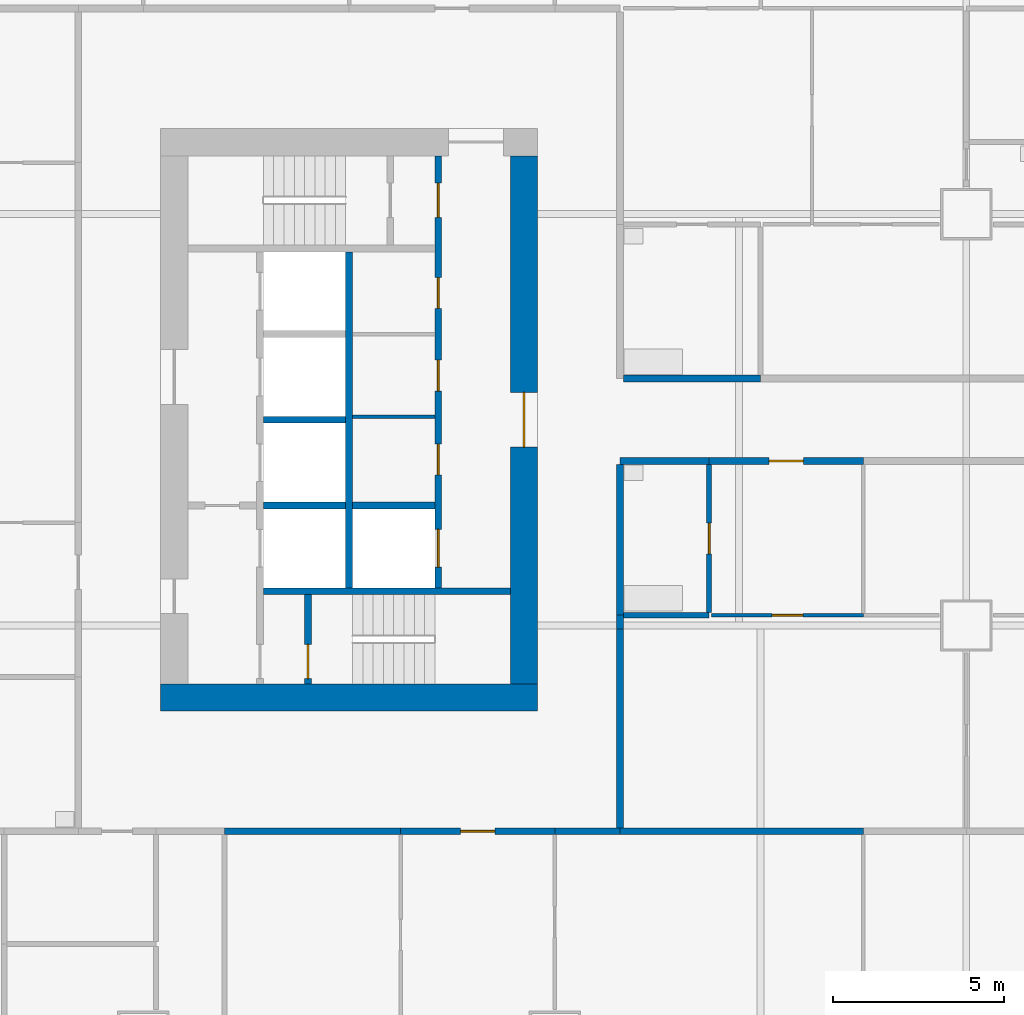
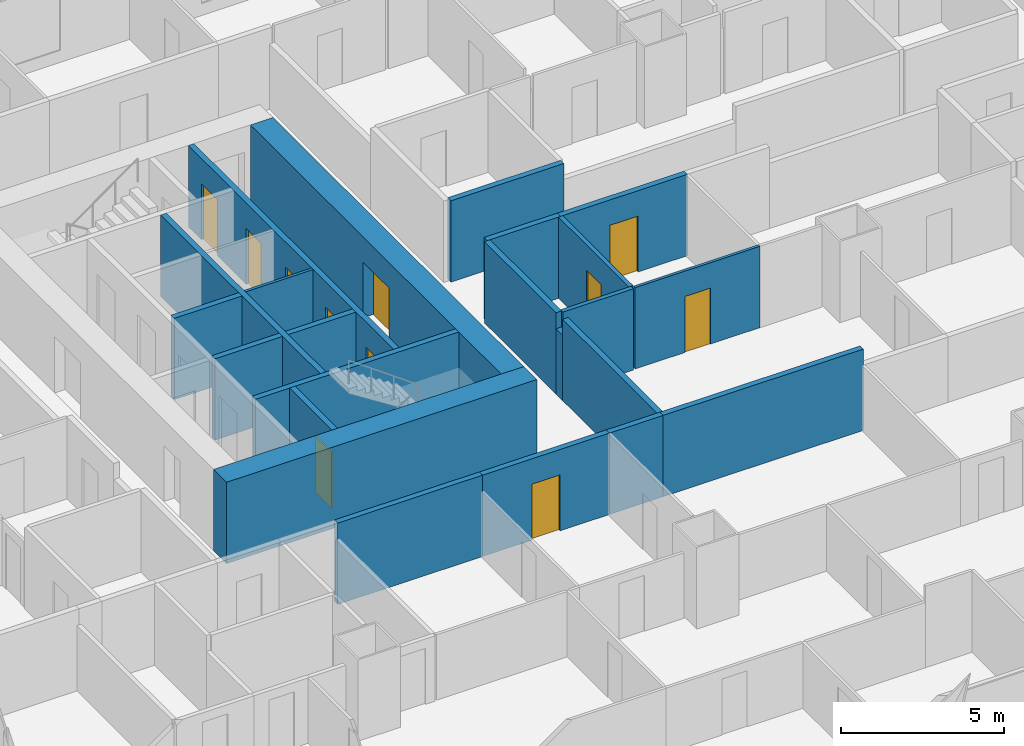
# One storey, part 4 of 13: 23 walls, 11 doors, 11 openings.
"""IFC4 building model written with IfcOpenShell, lengths in metres."""

from ifc_helpers import new_model, si_unit, direction, frame, frame_2d, origin, place, context, subcontext, project, spatial, rectangle, extrude, material, layer, layer_set, type_object, element, fill, save


model = new_model("IFC4")

# Units and contexts
model_context = context("Model", 3, precision=1e-05, world=origin(), true_north=direction((0.0, 1.0)))
body_context = subcontext(model_context, "Body", "Model", "MODEL_VIEW")
ifc_project = project(units=[si_unit("LENGTHUNIT", "METRE"), si_unit("AREAUNIT", "SQUARE_METRE"), si_unit("VOLUMEUNIT", "CUBIC_METRE"), si_unit("PLANEANGLEUNIT", "RADIAN"), si_unit("MASSUNIT", "GRAM", prefix="KILO")], contexts=[model_context])

# Site, building, storey
site_placement = place(None, origin())
site = spatial("IfcSite", under=ifc_project, at=site_placement, CompositionType="ELEMENT")
building_placement = place(site_placement, origin())
building = spatial("IfcBuilding", under=site, at=building_placement, Name="Kitamizu Gate Tower and Museum", CompositionType="ELEMENT")
storey_placement = place(building_placement, frame((0.0, 0.0, 50.699951171875)))
storey = spatial("IfcBuildingStorey", under=building, at=storey_placement, Name="L11", CompositionType="ELEMENT", Elevation=50.699951171875)

# Wall
ifc_material_1 = material(Name="Concrete Fc60", Category="concrete")
ifc_layer_1 = layer(ifc_material_1, 0.800048828125)
ifc_layer_set_1 = layer_set([ifc_layer_1], Name="Concrete Fc60")
wall_type_1 = type_object("IfcWallType", Name="Core wall 800", PredefinedType="SHEAR", material=ifc_layer_set_1)
wall_1_placement = place(storey_placement, frame((12.5, 21.89990234375, 0.0), z_axis=(0.0, 0.0, 1.0), x_axis=(1.0, 0.0, 0.0)))
element("IfcWall", 1, at=wall_1_placement, inside=storey, type_object=wall_type_1, Name="Core wall WS", PredefinedType="SHEAR", context=body_context, shape_type="SweptSolid", body=[
    extrude(rectangle(XDim=11.0, YDim=0.800048828125, at=frame_2d((5.5, 0.0))), origin(), (0.0, 0.0, 1.0), 3.050048828125),
])

# Wall, opening, door
wall_2_placement = place(storey_placement, frame((23.10009765625, 22.300048828125, 0.0), z_axis=(0.0, 0.0, 1.0), x_axis=(0.0, 1.0, 0.0)))
wall_2 = element("IfcWall", 2, at=wall_2_placement, inside=storey, type_object=wall_type_1, Name="Core wall WARC", PredefinedType="SHEAR", context=body_context, shape_type="SweptSolid", body=[
    extrude(rectangle(XDim=15.39990234375, YDim=0.800048828125, at=frame_2d((7.699951171875, 0.0))), origin(), (0.0, 0.0, 1.0), 3.050048828125),
])
opening_1_placement = place(wall_2_placement, frame((6.89990234375, 0.0, 0.0)))
opening_1 = element("IfcOpeningElement", 3, at=opening_1_placement, cuts=wall_2, Name="Opening L11-084", PredefinedType="OPENING", context=body_context, shape_type="SweptSolid", body=[
    extrude(rectangle(XDim=1.60009765625, YDim=2.10009765625, at=frame_2d((0.800048828125, 1.050048828125))), frame((0.0, 0.41015625, 0.0), z_axis=(0.0, -1.0, 0.0), x_axis=(1.0, 0.0, 0.0)), (0.0, 0.0, 1.0), 0.820068359375),
])
ifc_material_2 = material(Name="Timber door set", Category="wood")
door_type_1 = type_object("IfcDoorType", Name="Entrance door 1600", OperationType="DOUBLE_DOOR_SINGLE_SWING", PredefinedType="DOOR", material=ifc_material_2)
door_1_placement = place(opening_1_placement, origin())
door_1 = element("IfcDoor", 4, at=door_1_placement, inside=storey, type_object=door_type_1, Name="Lobby door L11-084", OperationType="DOUBLE_DOOR_SINGLE_SWING", OverallHeight=2.10009765625, OverallWidth=1.60009765625, PredefinedType="DOOR", context=body_context, shape_type="SweptSolid", body=[
    extrude(rectangle(XDim=1.60009765625, YDim=2.10009765625, at=frame_2d((0.800048828125, 1.050048828125))), frame((0.0, 0.02490234375, 0.0), z_axis=(0.0, -1.0, 0.0), x_axis=(1.0, 0.0, 0.0)), (0.0, 0.0, 1.0), 0.050048828125),
])
fill(opening_1, door_1)

# Wall
ifc_material_3 = material(Name="Gypsum board on galvanised stud")
ifc_layer_2 = layer(ifc_material_3, 0.10009765625)
ifc_layer_set_2 = layer_set([ifc_layer_2], Name="Gypsum board on galvanised stud")
wall_type_2 = type_object("IfcWallType", Name="Partition 100", PredefinedType="PARTITIONING", material=ifc_layer_set_2)
wall_3_placement = place(storey_placement, frame((18.10009765625, 30.08203125, 0.0), z_axis=(0.0, 0.0, 1.0), x_axis=(1.0, 0.0, 0.0)))
element("IfcWall", 5, at=wall_3_placement, inside=storey, type_object=wall_type_2, Name="Partition WPF1", PredefinedType="PARTITIONING", context=body_context, shape_type="SweptSolid", body=[
    extrude(rectangle(XDim=2.39990234375, YDim=0.10009765625, at=frame_2d((1.199951171875, 0.0))), origin(), (0.0, 0.0, 1.0), 3.050048828125),
])

# Wall, opening, door
ifc_material_4 = material(Name="Gypsum board on galvanised stud")
ifc_layer_3 = layer(ifc_material_4, 0.10009765625)
ifc_layer_set_3 = layer_set([ifc_layer_3], Name="Gypsum board on galvanised stud")
wall_type_3 = type_object("IfcWallType", Name="Partition 100 NOT RATED", PredefinedType="PARTITIONING", material=ifc_layer_set_3)
wall_4_placement = place(storey_placement, frame((33.0, 24.300048828125, 0.0), z_axis=(0.0, 0.0, 1.0), x_axis=(-1.0, 0.0, 0.0)))
wall_4 = element("IfcWall", 6, at=wall_4_placement, inside=storey, type_object=wall_type_3, Name="Partition L11-061", PredefinedType="PARTITIONING", context=body_context, shape_type="SweptSolid", body=[
    extrude(rectangle(XDim=4.425048828125, YDim=0.10009765625, at=frame_2d((2.21240234375, 0.0))), origin(), (0.0, 0.0, 1.0), 3.050048828125),
])
opening_2_placement = place(wall_4_placement, frame((1.762451171875, 0.0, 0.0)))
opening_2 = element("IfcOpeningElement", 7, at=opening_2_placement, cuts=wall_4, Name="Opening L11-022", PredefinedType="OPENING", context=body_context, shape_type="SweptSolid", body=[
    extrude(rectangle(XDim=0.89990234375, YDim=2.10009765625, at=frame_2d((0.449951171875, 1.050048828125))), frame((0.0, 0.06005859375, 0.0), z_axis=(0.0, -1.0, 0.0), x_axis=(1.0, 0.0, 0.0)), (0.0, 0.0, 1.0), 0.1201171875),
])
ifc_material_5 = material(Name="Timber door set", Category="wood")
door_type_2 = type_object("IfcDoorType", Name="Room door 900", OperationType="NOTDEFINED", PredefinedType="DOOR", material=ifc_material_5)
door_2_placement = place(opening_2_placement, origin())
door_2 = element("IfcDoor", 8, at=door_2_placement, inside=storey, type_object=door_type_2, Name="Door L11-022", OperationType="SINGLE_SWING_LEFT", OverallHeight=2.10009765625, OverallWidth=0.89990234375, PredefinedType="DOOR", context=body_context, shape_type="SweptSolid", body=[
    extrude(rectangle(XDim=0.89990234375, YDim=2.10009765625, at=frame_2d((0.449951171875, 1.050048828125))), frame((0.0, 0.02490234375, 0.0), z_axis=(0.0, -1.0, 0.0), x_axis=(1.0, 0.0, 0.0)), (0.0, 0.0, 1.0), 0.050048828125),
])
fill(opening_2, door_2)

# Wall
ifc_material_6 = material(Name="Gypsum board on galvanised stud")
ifc_layer_4 = layer(ifc_material_6, 0.14990234375)
ifc_layer_set_4 = layer_set([ifc_layer_4], Name="Gypsum board on galvanised stud")
wall_type_4 = type_object("IfcWallType", Name="Partition 150", PredefinedType="PARTITIONING", material=ifc_layer_set_4)
wall_5_placement = place(storey_placement, frame((28.5, 24.300048828125, 0.0), z_axis=(0.0, 0.0, 1.0), x_axis=(-1.0, 0.0, 0.0)))
element("IfcWall", 9, at=wall_5_placement, inside=storey, type_object=wall_type_4, Name="Partition L11-060", PredefinedType="PARTITIONING", context=body_context, shape_type="SweptSolid", body=[
    extrude(rectangle(XDim=2.5, YDim=0.14990234375, at=frame_2d((1.25, 0.0))), origin(), (0.0, 0.0, 1.0), 3.050048828125),
])

# Wall, opening, door
wall_6_placement = place(storey_placement, frame((28.5, 24.375, 0.0), z_axis=(0.0, 0.0, 1.0), x_axis=(0.0, 1.0, 0.0)))
wall_6 = element("IfcWall", 10, at=wall_6_placement, inside=storey, type_object=wall_type_4, Name="Partition L11-067", PredefinedType="PARTITIONING", context=body_context, shape_type="SweptSolid", body=[
    extrude(rectangle(XDim=4.324951171875, YDim=0.14990234375, at=frame_2d((2.16259765625, 0.0))), origin(), (0.0, 0.0, 1.0), 3.050048828125),
])
opening_3_placement = place(wall_6_placement, frame((1.71240234375, 0.0, 0.0)))
opening_3 = element("IfcOpeningElement", 11, at=opening_3_placement, cuts=wall_6, Name="Opening L11-024", PredefinedType="OPENING", context=body_context, shape_type="SweptSolid", body=[
    extrude(rectangle(XDim=0.89990234375, YDim=2.10009765625, at=frame_2d((0.449951171875, 1.050048828125))), frame((0.0, 0.0849609375, 0.0), z_axis=(0.0, -1.0, 0.0), x_axis=(1.0, 0.0, 0.0)), (0.0, 0.0, 1.0), 0.169921875),
])
ifc_material_7 = material(Name="Timber door set", Category="wood")
door_type_3 = type_object("IfcDoorType", Name="Bathroom door 900", OperationType="NOTDEFINED", PredefinedType="DOOR", material=ifc_material_7)
door_3_placement = place(opening_3_placement, origin())
door_3 = element("IfcDoor", 12, at=door_3_placement, inside=storey, type_object=door_type_3, Name="Bathroom door L11-024", OperationType="SINGLE_SWING_LEFT", OverallHeight=2.10009765625, OverallWidth=0.89990234375, PredefinedType="DOOR", context=body_context, shape_type="SweptSolid", body=[
    extrude(rectangle(XDim=0.89990234375, YDim=2.10009765625, at=frame_2d((0.449951171875, 1.050048828125))), frame((0.0, 0.02490234375, 0.0), z_axis=(0.0, -1.0, 0.0), x_axis=(1.0, 0.0, 0.0)), (0.0, 0.0, 1.0), 0.050048828125),
])
fill(opening_3, door_3)

# Wall
ifc_material_8 = material(Name="Gypsum board on galvanised stud")
ifc_layer_5 = layer(ifc_material_8, 0.199951171875)
ifc_layer_set_5 = layer_set([ifc_layer_5], Name="Gypsum board on galvanised stud")
wall_type_5 = type_object("IfcWallType", Name="Partition 200", PredefinedType="PARTITIONING", material=ifc_layer_set_5)
wall_7_placement = place(storey_placement, frame((19.5, 18.0, 0.0), z_axis=(0.0, 0.0, 1.0), x_axis=(-1.0, 0.0, 0.0)))
element("IfcWall", 13, at=wall_7_placement, inside=storey, type_object=wall_type_5, Name="Partition L11-050", PredefinedType="PARTITIONING", context=body_context, shape_type="SweptSolid", body=[
    extrude(rectangle(XDim=5.135986328125, YDim=0.199951171875, at=frame_2d((2.56787109375, 0.0))), origin(), (0.0, 0.0, 1.0), 3.050048828125),
])

# Wall, opening, door
wall_8_placement = place(storey_placement, frame((24.0, 18.0, 0.0), z_axis=(0.0, 0.0, 1.0), x_axis=(-1.0, 0.0, 0.0)))
wall_8 = element("IfcWall", 14, at=wall_8_placement, inside=storey, type_object=wall_type_5, Name="Partition L11-052", PredefinedType="PARTITIONING", context=body_context, shape_type="SweptSolid", body=[
    extrude(rectangle(XDim=4.5, YDim=0.199951171875, at=frame_2d((2.25, 0.0))), origin(), (0.0, 0.0, 1.0), 3.050048828125),
])
opening_4_placement = place(wall_8_placement, frame((1.75, 0.0, 0.0)))
opening_4 = element("IfcOpeningElement", 15, at=opening_4_placement, cuts=wall_8, Name="Opening L11-001", PredefinedType="OPENING", context=body_context, shape_type="SweptSolid", body=[
    extrude(rectangle(XDim=1.0, YDim=2.10009765625, at=frame_2d((0.5, 1.050048828125))), frame((0.0, 0.10986328125, 0.0), z_axis=(0.0, -1.0, 0.0), x_axis=(1.0, 0.0, 0.0)), (0.0, 0.0, 1.0), 0.219970703125),
])
ifc_material_9 = material(Name="Timber door set", Category="wood")
door_type_4 = type_object("IfcDoorType", Name="Flat entrance door 1000", OperationType="NOTDEFINED", PredefinedType="DOOR", material=ifc_material_9)
door_4_placement = place(opening_4_placement, origin())
door_4 = element("IfcDoor", 16, at=door_4_placement, inside=storey, type_object=door_type_4, Name="Flat entrance door L11-001", OperationType="SINGLE_SWING_RIGHT", OverallHeight=2.10009765625, OverallWidth=1.0, PredefinedType="DOOR", context=body_context, shape_type="SweptSolid", body=[
    extrude(rectangle(XDim=1.0, YDim=2.10009765625, at=frame_2d((0.5, 1.050048828125))), frame((0.0, 0.02490234375, 0.0), z_axis=(0.0, -1.0, 0.0), x_axis=(1.0, 0.0, 0.0)), (0.0, 0.0, 1.0), 0.050048828125),
])
fill(opening_4, door_4)

# Walls
wall_9_placement = place(storey_placement, frame((33.0, 18.0, 0.0), z_axis=(0.0, 0.0, 1.0), x_axis=(-1.0, 0.0, 0.0)))
element("IfcWall", 17, at=wall_9_placement, inside=storey, type_object=wall_type_5, Name="Partition L11-054", PredefinedType="PARTITIONING", context=body_context, shape_type="SweptSolid", body=[
    extrude(rectangle(XDim=7.10009765625, YDim=0.199951171875, at=frame_2d((3.550048828125, 0.0))), origin(), (0.0, 0.0, 1.0), 3.050048828125),
])
wall_10_placement = place(storey_placement, frame((25.89990234375, 18.0, 0.0), z_axis=(0.0, 0.0, 1.0), x_axis=(-1.0, 0.0, 0.0)))
element("IfcWall", 18, at=wall_10_placement, inside=storey, type_object=wall_type_5, Name="Partition L11-055", PredefinedType="PARTITIONING", context=body_context, shape_type="SweptSolid", body=[
    extrude(rectangle(XDim=1.89990234375, YDim=0.199951171875, at=frame_2d((0.949951171875, 0.0))), origin(), (0.0, 0.0, 1.0), 3.050048828125),
])
wall_11_placement = place(storey_placement, frame((25.89990234375, 24.300048828125, 0.0), z_axis=(0.0, 0.0, 1.0), x_axis=(0.0, -1.0, 0.0)))
element("IfcWall", 19, at=wall_11_placement, inside=storey, type_object=wall_type_5, Name="Partition L11-063", PredefinedType="PARTITIONING", context=body_context, shape_type="SweptSolid", body=[
    extrude(rectangle(XDim=0.400146484375, YDim=0.199951171875, at=frame_2d((0.2001953125, 0.0))), origin(), (0.0, 0.0, 1.0), 2.449951171875),
])
wall_12_placement = place(storey_placement, frame((25.89990234375, 23.89990234375, 0.0), z_axis=(0.0, 0.0, 1.0), x_axis=(0.0, -1.0, 0.0)))
element("IfcWall", 20, at=wall_12_placement, inside=storey, type_object=wall_type_5, Name="Partition L11-064", PredefinedType="PARTITIONING", context=body_context, shape_type="SweptSolid", body=[
    extrude(rectangle(XDim=5.7998046875, YDim=0.199951171875, at=frame_2d((2.89990234375, 0.0))), origin(), (0.0, 0.0, 1.0), 3.050048828125),
])
wall_13_placement = place(storey_placement, frame((28.5, 28.800048828125, 0.0), z_axis=(0.0, 0.0, 1.0), x_axis=(-1.0, 0.0, 0.0)))
element("IfcWall", 21, at=wall_13_placement, inside=storey, type_object=wall_type_5, Name="Partition L11-068", PredefinedType="PARTITIONING", context=body_context, shape_type="SweptSolid", body=[
    extrude(rectangle(XDim=2.60009765625, YDim=0.199951171875, at=frame_2d((1.300048828125, 0.0))), origin(), (0.0, 0.0, 1.0), 3.050048828125),
])
wall_14_placement = place(storey_placement, frame((25.89990234375, 28.699951171875, 0.0), z_axis=(0.0, 0.0, 1.0), x_axis=(0.0, -1.0, 0.0)))
element("IfcWall", 22, at=wall_14_placement, inside=storey, type_object=wall_type_5, Name="Partition L11-069", PredefinedType="PARTITIONING", context=body_context, shape_type="SweptSolid", body=[
    extrude(rectangle(XDim=4.39990234375, YDim=0.199951171875, at=frame_2d((2.199951171875, 0.0))), origin(), (0.0, 0.0, 1.0), 3.050048828125),
])

# Wall, opening, door
wall_15_placement = place(storey_placement, frame((33.0, 28.800048828125, 0.0), z_axis=(0.0, 0.0, 1.0), x_axis=(-1.0, 0.0, 0.0)))
wall_15 = element("IfcWall", 23, at=wall_15_placement, inside=storey, type_object=wall_type_5, Name="Partition L11-071", PredefinedType="PARTITIONING", context=body_context, shape_type="SweptSolid", body=[
    extrude(rectangle(XDim=4.5, YDim=0.199951171875, at=frame_2d((2.25, 0.0))), origin(), (0.0, 0.0, 1.0), 3.050048828125),
])
opening_5_placement = place(wall_15_placement, frame((1.75, 0.0, 0.0)))
opening_5 = element("IfcOpeningElement", 24, at=opening_5_placement, cuts=wall_15, Name="Opening L11-021", PredefinedType="OPENING", context=body_context, shape_type="SweptSolid", body=[
    extrude(rectangle(XDim=1.0, YDim=2.10009765625, at=frame_2d((0.5, 1.050048828125))), frame((0.0, 0.10986328125, 0.0), z_axis=(0.0, -1.0, 0.0), x_axis=(1.0, 0.0, 0.0)), (0.0, 0.0, 1.0), 0.219970703125),
])
door_5_placement = place(opening_5_placement, origin())
door_5 = element("IfcDoor", 25, at=door_5_placement, inside=storey, type_object=door_type_4, Name="Flat entrance door L11-021", OperationType="SINGLE_SWING_RIGHT", OverallHeight=2.10009765625, OverallWidth=1.0, PredefinedType="DOOR", context=body_context, shape_type="SweptSolid", body=[
    extrude(rectangle(XDim=1.0, YDim=2.10009765625, at=frame_2d((0.5, 1.050048828125))), frame((0.0, 0.02490234375, 0.0), z_axis=(0.0, -1.0, 0.0), x_axis=(1.0, 0.0, 0.0)), (0.0, 0.0, 1.0), 0.050048828125),
])
fill(opening_5, door_5)

# Wall
wall_16_placement = place(storey_placement, frame((26.0, 31.199951171875, 0.0), z_axis=(0.0, 0.0, 1.0), x_axis=(1.0, 0.0, 0.0)))
element("IfcWall", 26, at=wall_16_placement, inside=storey, type_object=wall_type_5, Name="Partition L11-152", PredefinedType="PARTITIONING", context=body_context, shape_type="SweptSolid", body=[
    extrude(rectangle(XDim=4.0, YDim=0.199951171875, at=frame_2d((2.0, 0.0))), origin(), (0.0, 0.0, 1.0), 3.050048828125),
])

# Wall, openings, doors
ifc_material_10 = material(Name="Concrete Fc42", Category="concrete")
ifc_layer_6 = layer(ifc_material_10, 0.199951171875)
ifc_layer_set_6 = layer_set([ifc_layer_6], Name="Concrete Fc42")
wall_type_6 = type_object("IfcWallType", Name="Shaft wall 200", PredefinedType="SOLIDWALL", material=ifc_layer_set_6)
wall_17_placement = place(storey_placement, frame((20.60009765625, 25.10009765625, 0.0), z_axis=(0.0, 0.0, 1.0), x_axis=(0.0, 1.0, 0.0)))
wall_17 = element("IfcWall", 27, at=wall_17_placement, inside=storey, type_object=wall_type_6, Name="Shaft wall WEAST", PredefinedType="SOLIDWALL", context=body_context, shape_type="SweptSolid", body=[
    extrude(rectangle(XDim=12.599853515625, YDim=0.199951171875, at=frame_2d((6.2998046875, 0.0))), origin(), (0.0, 0.0, 1.0), 3.050048828125),
])
opening_6_placement = place(wall_17_placement, frame((0.60009765625, 0.0, 0.0)))
opening_6 = element("IfcOpeningElement", 28, at=opening_6_placement, cuts=wall_17, Name="Opening LD", PredefinedType="OPENING", context=body_context, shape_type="SweptSolid", body=[
    extrude(rectangle(XDim=1.10009765625, YDim=2.10009765625, at=frame_2d((0.550048828125, 1.050048828125))), frame((0.0, 0.10986328125, 0.0), z_axis=(0.0, -1.0, 0.0), x_axis=(1.0, 0.0, 0.0)), (0.0, 0.0, 1.0), 0.219970703125),
])
opening_7_placement = place(wall_17_placement, frame((10.800048828125, 0.0, 0.0)))
opening_7 = element("IfcOpeningElement", 29, at=opening_7_placement, cuts=wall_17, Name="Opening L11-078", PredefinedType="OPENING", context=body_context, shape_type="SweptSolid", body=[
    extrude(rectangle(XDim=1.0, YDim=2.10009765625, at=frame_2d((0.5, 1.050048828125))), frame((0.0, 0.10986328125, 0.0), z_axis=(0.0, -1.0, 0.0), x_axis=(1.0, 0.0, 0.0)), (0.0, 0.0, 1.0), 0.219970703125),
])
opening_8_placement = place(wall_17_placement, frame((3.291015625, 0.0, 0.0)))
opening_8 = element("IfcOpeningElement", 30, at=opening_8_placement, cuts=wall_17, Name="Opening L11-085", PredefinedType="OPENING", context=body_context, shape_type="SweptSolid", body=[
    extrude(rectangle(XDim=0.89990234375, YDim=2.10009765625, at=frame_2d((0.449951171875, 1.050048828125))), frame((0.0, 0.10986328125, 0.0), z_axis=(0.0, -1.0, 0.0), x_axis=(1.0, 0.0, 0.0)), (0.0, 0.0, 1.0), 0.219970703125),
])
opening_9_placement = place(wall_17_placement, frame((5.736572265625, 0.0, 0.0)))
opening_9 = element("IfcOpeningElement", 31, at=opening_9_placement, cuts=wall_17, Name="Opening L11-086", PredefinedType="OPENING", context=body_context, shape_type="SweptSolid", body=[
    extrude(rectangle(XDim=0.89990234375, YDim=2.10009765625, at=frame_2d((0.449951171875, 1.050048828125))), frame((0.0, 0.10986328125, 0.0), z_axis=(0.0, -1.0, 0.0), x_axis=(1.0, 0.0, 0.0)), (0.0, 0.0, 1.0), 0.219970703125),
])
opening_10_placement = place(wall_17_placement, frame((8.1455078125, 0.0, 0.0)))
opening_10 = element("IfcOpeningElement", 32, at=opening_10_placement, cuts=wall_17, Name="Opening L11-087", PredefinedType="OPENING", context=body_context, shape_type="SweptSolid", body=[
    extrude(rectangle(XDim=0.89990234375, YDim=2.10009765625, at=frame_2d((0.449951171875, 1.050048828125))), frame((0.0, 0.10986328125, 0.0), z_axis=(0.0, -1.0, 0.0), x_axis=(1.0, 0.0, 0.0)), (0.0, 0.0, 1.0), 0.219970703125),
])
ifc_material_11 = material(Name="Hollow metal door set")
door_type_5 = type_object("IfcDoorType", Name="Fire door 1000", OperationType="NOTDEFINED", PredefinedType="DOOR", material=ifc_material_11)
door_6_placement = place(opening_7_placement, origin())
door_6 = element("IfcDoor", 33, at=door_6_placement, inside=storey, type_object=door_type_5, Name="Stair lobby door L11-078", OperationType="SINGLE_SWING_RIGHT", OverallHeight=2.10009765625, OverallWidth=1.0, PredefinedType="DOOR", context=body_context, shape_type="SweptSolid", body=[
    extrude(rectangle(XDim=1.0, YDim=2.10009765625, at=frame_2d((0.5, 1.050048828125))), frame((0.0, 0.02490234375, 0.0), z_axis=(0.0, -1.0, 0.0), x_axis=(1.0, 0.0, 0.0)), (0.0, 0.0, 1.0), 0.050048828125),
])
fill(opening_7, door_6)
ifc_material_12 = material(Name="Hollow metal door set")
door_type_6 = type_object("IfcDoorType", Name="Landing door 1100", OperationType="SLIDING_TO_LEFT", PredefinedType="DOOR", material=ifc_material_12)
door_7_placement = place(opening_6_placement, origin())
door_7 = element("IfcDoor", 34, at=door_7_placement, inside=storey, type_object=door_type_6, Name="Landing door WSV1", OperationType="SLIDING_TO_LEFT", OverallHeight=2.10009765625, OverallWidth=1.10009765625, PredefinedType="DOOR", context=body_context, shape_type="SweptSolid", body=[
    extrude(rectangle(XDim=1.10009765625, YDim=2.10009765625, at=frame_2d((0.550048828125, 1.050048828125))), frame((0.0, 0.02490234375, 0.0), z_axis=(0.0, -1.0, 0.0), x_axis=(1.0, 0.0, 0.0)), (0.0, 0.0, 1.0), 0.050048828125),
])
fill(opening_6, door_7)
ifc_material_13 = material(Name="Timber door set", Category="wood")
door_type_7 = type_object("IfcDoorType", Name="Service door 900", OperationType="NOTDEFINED", PredefinedType="DOOR", material=ifc_material_13)
door_8_placement = place(opening_8_placement, origin())
door_8 = element("IfcDoor", 35, at=door_8_placement, inside=storey, type_object=door_type_7, Name="Service door L11-085", OperationType="SINGLE_SWING_RIGHT", OverallHeight=2.10009765625, OverallWidth=0.89990234375, PredefinedType="DOOR", context=body_context, shape_type="SweptSolid", body=[
    extrude(rectangle(XDim=0.89990234375, YDim=2.10009765625, at=frame_2d((0.449951171875, 1.050048828125))), frame((0.0, 0.02490234375, 0.0), z_axis=(0.0, -1.0, 0.0), x_axis=(1.0, 0.0, 0.0)), (0.0, 0.0, 1.0), 0.050048828125),
])
fill(opening_8, door_8)
door_9_placement = place(opening_9_placement, origin())
door_9 = element("IfcDoor", 36, at=door_9_placement, inside=storey, type_object=door_type_7, Name="Service door L11-086", OperationType="SINGLE_SWING_LEFT", OverallHeight=2.10009765625, OverallWidth=0.89990234375, PredefinedType="DOOR", context=body_context, shape_type="SweptSolid", body=[
    extrude(rectangle(XDim=0.89990234375, YDim=2.10009765625, at=frame_2d((0.449951171875, 1.050048828125))), frame((0.0, 0.02490234375, 0.0), z_axis=(0.0, -1.0, 0.0), x_axis=(1.0, 0.0, 0.0)), (0.0, 0.0, 1.0), 0.050048828125),
])
fill(opening_9, door_9)
door_10_placement = place(opening_10_placement, origin())
door_10 = element("IfcDoor", 37, at=door_10_placement, inside=storey, type_object=door_type_7, Name="Service door L11-087", OperationType="SINGLE_SWING_RIGHT", OverallHeight=2.10009765625, OverallWidth=0.89990234375, PredefinedType="DOOR", context=body_context, shape_type="SweptSolid", body=[
    extrude(rectangle(XDim=0.89990234375, YDim=2.10009765625, at=frame_2d((0.449951171875, 1.050048828125))), frame((0.0, 0.02490234375, 0.0), z_axis=(0.0, -1.0, 0.0), x_axis=(1.0, 0.0, 0.0)), (0.0, 0.0, 1.0), 0.050048828125),
])
fill(opening_10, door_10)

# Walls
wall_18_placement = place(storey_placement, frame((18.0, 25.10009765625, 0.0), z_axis=(0.0, 0.0, 1.0), x_axis=(0.0, 1.0, 0.0)))
element("IfcWall", 38, at=wall_18_placement, inside=storey, type_object=wall_type_6, Name="Shaft wall WMID", PredefinedType="SOLIDWALL", context=body_context, shape_type="SweptSolid", body=[
    extrude(rectangle(XDim=9.7998046875, YDim=0.199951171875, at=frame_2d((4.89990234375, 0.0))), origin(), (0.0, 0.0, 1.0), 3.050048828125),
])
wall_19_placement = place(storey_placement, frame((15.5, 25.0, 0.0), z_axis=(0.0, 0.0, 1.0), x_axis=(1.0, 0.0, 0.0)))
element("IfcWall", 39, at=wall_19_placement, inside=storey, type_object=wall_type_6, Name="Shaft wall WSB", PredefinedType="SOLIDWALL", context=body_context, shape_type="SweptSolid", body=[
    extrude(rectangle(XDim=7.199951171875, YDim=0.199951171875, at=frame_2d((3.60009765625, 0.0))), origin(), (0.0, 0.0, 1.0), 3.050048828125),
])

# Wall, opening, door
wall_20_placement = place(storey_placement, frame((16.800048828125, 22.300048828125, 0.0), z_axis=(0.0, 0.0, 1.0), x_axis=(0.0, 1.0, 0.0)))
wall_20 = element("IfcWall", 40, at=wall_20_placement, inside=storey, type_object=wall_type_6, Name="Shaft wall WSZ", PredefinedType="SOLIDWALL", context=body_context, shape_type="SweptSolid", body=[
    extrude(rectangle(XDim=2.599853515625, YDim=0.199951171875, at=frame_2d((1.2998046875, 0.0))), origin(), (0.0, 0.0, 1.0), 3.050048828125),
])
opening_11_placement = place(wall_20_placement, frame((0.14990234375, 0.0, 0.0)))
opening_11 = element("IfcOpeningElement", 41, at=opening_11_placement, cuts=wall_20, Name="Opening L11-076", PredefinedType="OPENING", context=body_context, shape_type="SweptSolid", body=[
    extrude(rectangle(XDim=1.0, YDim=2.10009765625, at=frame_2d((0.5, 1.050048828125))), frame((0.0, 0.10986328125, 0.0), z_axis=(0.0, -1.0, 0.0), x_axis=(1.0, 0.0, 0.0)), (0.0, 0.0, 1.0), 0.219970703125),
])
door_11_placement = place(opening_11_placement, frame((1.0, 0.0, 0.0), x_axis=(-1.0, 0.0, 0.0)))
door_11 = element("IfcDoor", 42, at=door_11_placement, inside=storey, type_object=door_type_5, Name="Stair door L11-076", OperationType="SINGLE_SWING_LEFT", OverallHeight=2.10009765625, OverallWidth=1.0, PredefinedType="DOOR", context=body_context, shape_type="SweptSolid", body=[
    extrude(rectangle(XDim=1.0, YDim=2.10009765625, at=frame_2d((0.5, 1.050048828125))), frame((0.0, 0.02490234375, 0.0), z_axis=(0.0, -1.0, 0.0), x_axis=(1.0, 0.0, 0.0)), (0.0, 0.0, 1.0), 0.050048828125),
])
fill(opening_11, door_11)

# Walls
for number, where, z_axis, x_axis, name in (
    (43, (15.5, 27.5, 0.0), (0.0, 0.0, 1.0), (1.0, 0.0, 0.0), "Shaft wall WDVW0"),
    (44, (15.5, 30.0, 0.0), (0.0, 0.0, 1.0), (1.0, 0.0, 0.0), "Shaft wall WDVW1"),
    (45, (18.10009765625, 27.5, 0.0), (0.0, 0.0, 1.0), (1.0, 0.0, 0.0), "Shaft wall WDVE0"),
):
    element("IfcWall", number, at=place(storey_placement, frame(where, z_axis=z_axis, x_axis=x_axis)), inside=storey, type_object=wall_type_6, Name=name, PredefinedType="SOLIDWALL", context=body_context, shape_type="SweptSolid", body=[
        extrude(rectangle(XDim=2.39990234375, YDim=0.199951171875, at=frame_2d((1.199951171875, 0.0))), origin(), (0.0, 0.0, 1.0), 3.050048828125),
    ])

save(model, "model.ifc")
